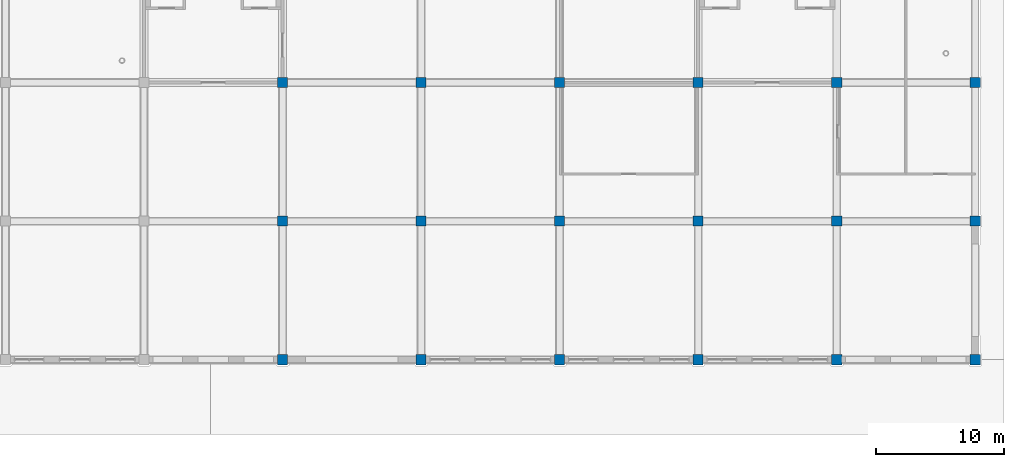
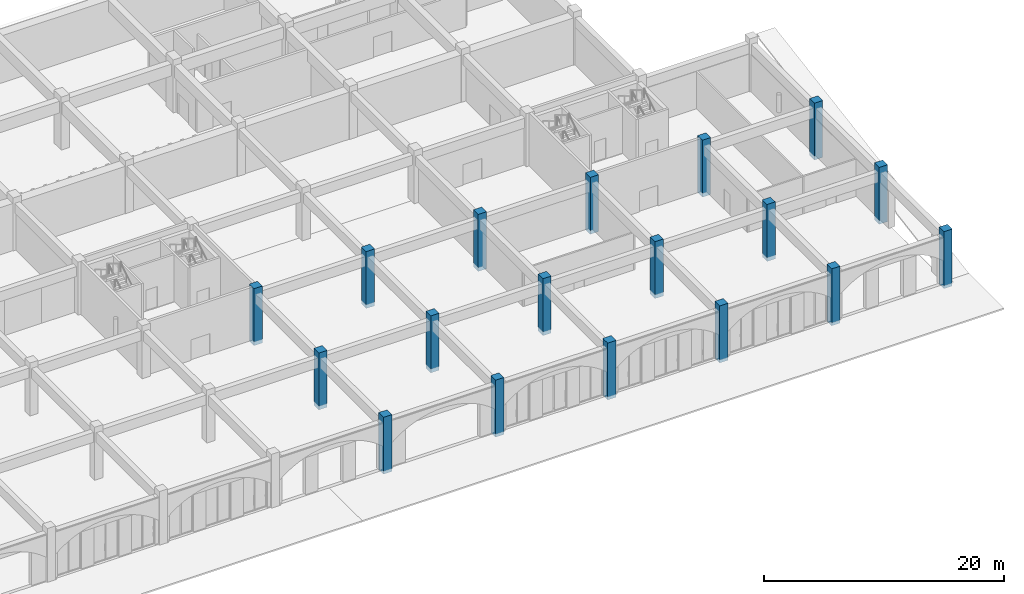
# One storey, part 6 of 101: 18 columns.
"""IFC4 building model written with IfcOpenShell, lengths in metres."""

import ifcopenshell
import ifcopenshell.guid

model = None  # the IFC model being written
_history = None  # IfcOwnerHistory: only IFC2X3 demands one
_inside = {}  # id of a spatial element -> (the spatial element, [elements in it])
_under = {}  # id of a project, library or spatial element -> (it, [spatial elements below it])
_declared = {}  # id of a project -> (the project, [libraries it declares])
_typed = {}  # id of a type object -> (the type object, [elements of that type])
_made_of = {}  # id of a material, layer set ... -> (it, [elements and type objects made of it])


def new_model(schema):
    """Start an empty IFC model of exactly this schema.

    Asked for "IFC4X3", IfcOpenShell would pick the latest addendum, in which some entities
    have other attributes; the version numbers below select the first issue.
    IFC2X3 requires an IfcOwnerHistory on every rooted entity: one is made here for all.
    """
    global model, _history
    if schema == "IFC4X3":
        model = ifcopenshell.file(schema_version=(4, 3, 0, 0))
    else:
        model = ifcopenshell.file(schema=schema)
    _inside.clear()
    _under.clear()
    _declared.clear()
    _typed.clear()
    _made_of.clear()
    _history = None
    if model.schema == "IFC2X3":
        org = make("IfcOrganization", Name="unknown")
        user = make(
            "IfcPersonAndOrganization",
            ThePerson=make("IfcPerson", FamilyName="unknown"),
            TheOrganization=org,
        )
        app = make(
            "IfcApplication",
            ApplicationDeveloper=org,
            Version="unknown",
            ApplicationFullName="unknown",
            ApplicationIdentifier="unknown",
        )
        _history = make(
            "IfcOwnerHistory",
            OwningUser=user,
            OwningApplication=app,
            ChangeAction="ADDED",
            CreationDate=0,
        )
    return model


def make(cls, **values):
    """One entity of the class cls with the attributes given. An attribute that is None is left unset."""
    return model.create_entity(
        cls, **{name: value for name, value in values.items() if value is not None}
    )


def rooted(cls, **values):
    """An entity with a GlobalId (a new one), such as an element, a storey or a relation."""
    return make(cls, GlobalId=ifcopenshell.guid.new(), OwnerHistory=_history, **values)


def si_unit(unit_type, name, prefix=None):
    """IfcSIUnit, for example si_unit("LENGTHUNIT", "METRE", prefix="MILLI")."""
    return make("IfcSIUnit", UnitType=unit_type, Prefix=prefix, Name=name)


def assignment(units):
    """IfcUnitAssignment: the units of a project."""
    return None if units is None else make("IfcUnitAssignment", Units=units)


def point(xyz):
    """IfcCartesianPoint."""
    return None if xyz is None else make("IfcCartesianPoint", Coordinates=xyz)


def direction(xyz):
    """IfcDirection."""
    return None if xyz is None else make("IfcDirection", DirectionRatios=xyz)


def frame(location, z_axis=None, x_axis=None):
    """IfcAxis2Placement3D, a coordinate frame: its origin and axes. An axis left out is left unset."""
    return make(
        "IfcAxis2Placement3D",
        Location=point(location),
        Axis=direction(z_axis),
        RefDirection=direction(x_axis),
    )


def frame_2d(location, x_axis=None):
    """IfcAxis2Placement2D, a coordinate frame in the plane: its origin and x axis."""
    return make(
        "IfcAxis2Placement2D", Location=point(location), RefDirection=direction(x_axis)
    )


def origin():
    """The frame at (0, 0, 0) with its axes left unset."""
    return frame((0.0, 0.0, 0.0))


def origin_2d():
    """The frame at (0, 0) in the plane with its x axis left unset."""
    return frame_2d((0.0, 0.0))


def place(relative_to, where):
    """IfcLocalPlacement: puts the frame where relative to a parent placement (None: the world)."""
    return make(
        "IfcLocalPlacement", PlacementRelTo=relative_to, RelativePlacement=where
    )


def context(
    kind, dimensions, precision=None, world=None, true_north=None, identifier=None
):
    """IfcGeometricRepresentationContext, for example the 3D "Model" context."""
    return make(
        "IfcGeometricRepresentationContext",
        ContextIdentifier=identifier,
        ContextType=kind,
        CoordinateSpaceDimension=dimensions,
        Precision=precision,
        WorldCoordinateSystem=world,
        TrueNorth=true_north,
    )


def subcontext(parent, identifier, kind, view, scale=None):
    """IfcGeometricRepresentationSubContext, for example "Body" below "Model"."""
    return make(
        "IfcGeometricRepresentationSubContext",
        ContextIdentifier=identifier,
        ContextType=kind,
        ParentContext=parent,
        TargetScale=scale,
        TargetView=view,
    )


def project(units=None, contexts=None):
    """IfcProject with its units and contexts."""
    return rooted(
        "IfcProject",
        Name="project",
        RepresentationContexts=contexts,
        UnitsInContext=assignment(units),
    )


def spatial(cls, under=None, at=None, **own):
    """A site, building, storey or space (cls), placed at a placement, below another one or the project."""
    s = rooted(cls, ObjectPlacement=at, **own)
    if under is not None:
        _under.setdefault(under.id(), (under, []))[1].append(s)
    return s


def profile(cls, at=None, kind="AREA", **sizes):
    """A parametric profile (cls). Its sizes go by their IFC names, for example OverallWidth=200.0."""
    return make(cls, ProfileType=kind, Position=at, **sizes)


def rectangle(**sizes):
    """IfcRectangleProfileDef."""
    return profile("IfcRectangleProfileDef", **sizes)


def extrude(swept, where, along, depth):
    """IfcExtrudedAreaSolid: the profile swept, set in the frame where, extruded along a direction by depth."""
    return make(
        "IfcExtrudedAreaSolid",
        SweptArea=swept,
        Position=where,
        ExtrudedDirection=direction(along),
        Depth=depth,
    )


def shape(context_of_items, identifier, shape_type, items):
    """IfcShapeRepresentation: the items that make up one representation, for example the "Body"."""
    return make(
        "IfcShapeRepresentation",
        ContextOfItems=context_of_items,
        RepresentationIdentifier=identifier,
        RepresentationType=shape_type,
        Items=items,
    )


def material(Name=None, Category=None):
    """IfcMaterial."""
    return make("IfcMaterial", Name=Name, Category=Category)


def material_profile(
    of_material, cross_section, Name=None, Category=None, Priority=None
):
    """IfcMaterialProfile: a cross section and its material."""
    return make(
        "IfcMaterialProfile",
        Name=Name,
        Material=of_material,
        Profile=cross_section,
        Priority=Priority,
        Category=Category,
    )


def profile_set(profiles, Name=None, composite=None):
    """IfcMaterialProfileSet."""
    return make(
        "IfcMaterialProfileSet",
        Name=Name,
        MaterialProfiles=profiles,
        CompositeProfile=composite,
    )


def made_of(thing, what):
    """Note that an element or type object is made of a material, layer set ...; save() writes the relation."""
    if what is not None:
        _made_of.setdefault(what.id(), (what, []))[1].append(thing)
    return thing


def type_object(cls, material=None, **own):
    """A type object (cls), such as IfcWallType, which elements share."""
    return made_of(rooted(cls, **own), material)


def element(
    cls,
    number,
    at=None,
    inside=None,
    cuts=None,
    type_object=None,
    material=None,
    context=None,
    identifier="Body",
    shape_type=None,
    held_by="IfcProductDefinitionShape",
    body=None,
    shapes=None,
    **own,
):
    """One element of the class cls, such as IfcWall. Its Tag is "e" and its number.

    at: its placement. inside: the storey or other place that contains it. cuts: it is an
    opening in that element (IfcRelVoidsElement). A single representation is given by context,
    identifier, shape_type and body (its items); several are given by shapes. held_by: the class
    of the entity that holds the representations. save() writes the other relations.
    """
    e = rooted(cls, Tag="e%d" % number, ObjectPlacement=at, **own)
    if body is not None:
        shapes = [shape(context, identifier, shape_type, body)]
    if shapes is not None:
        e.Representation = make(held_by, Representations=shapes)
    if inside is not None:
        _inside.setdefault(inside.id(), (inside, []))[1].append(e)
    if cuts is not None:
        rooted(
            "IfcRelVoidsElement", RelatingBuildingElement=cuts, RelatedOpeningElement=e
        )
    if type_object is not None:
        _typed.setdefault(type_object.id(), (type_object, []))[1].append(e)
    return made_of(e, material)


def aggregate(whole, parts):
    """IfcRelAggregates: a whole, such as a stair, and the parts it consists of."""
    return rooted("IfcRelAggregates", RelatingObject=whole, RelatedObjects=parts)


def save(model, path):
    """Write the relations noted so far, then the file.

    IfcRelAggregates (storeys below a building ...), IfcRelContainedInSpatialStructure (elements
    in a storey), IfcRelDefinesByType, IfcRelAssociatesMaterial and IfcRelDeclares: one each for
    every whole, place, type object, material and project.
    """
    for whole, parts in _under.values():
        aggregate(whole, parts)
    for where, things in _inside.values():
        rooted(
            "IfcRelContainedInSpatialStructure",
            RelatedElements=things,
            RelatingStructure=where,
        )
    for kind, things in _typed.values():
        rooted("IfcRelDefinesByType", RelatedObjects=things, RelatingType=kind)
    for what, things in _made_of.values():
        rooted("IfcRelAssociatesMaterial", RelatedObjects=things, RelatingMaterial=what)
    for by, libraries in _declared.values():
        rooted("IfcRelDeclares", RelatingContext=by, RelatedDefinitions=libraries)
    model.write(path)


model = new_model("IFC4")

# Units and contexts
model_context = context("Model", 3, precision=1e-05, world=origin(), true_north=direction((0.0, 1.0)))
body_context = subcontext(model_context, "Body", "Model", "MODEL_VIEW")
ifc_project = project(units=[si_unit("LENGTHUNIT", "METRE"), si_unit("AREAUNIT", "SQUARE_METRE"), si_unit("VOLUMEUNIT", "CUBIC_METRE"), si_unit("PLANEANGLEUNIT", "RADIAN"), si_unit("MASSUNIT", "GRAM", prefix="KILO")], contexts=[model_context])

# Site, building, storey
site_placement = place(None, origin())
site = spatial("IfcSite", under=ifc_project, at=site_placement, CompositionType="ELEMENT")
building_placement = place(site_placement, origin())
building = spatial("IfcBuilding", under=site, at=building_placement, Name="Magnolia Steps Interchange", CompositionType="ELEMENT")
storey_placement = place(building_placement, frame((0.0, 0.0, -5.39990234375)))
storey = spatial("IfcBuildingStorey", under=building, at=storey_placement, Name="B1", CompositionType="ELEMENT", Elevation=-5.39990234375)

# Columns
ifc_material = material(Name="Concrete C40", Category="concrete")
ifc_material_profile = material_profile(ifc_material, rectangle(XDim=0.800048828125, YDim=0.800048828125, at=origin_2d()), Name="RC800x800")
ifc_profile_set = profile_set([ifc_material_profile], Name="Concrete C40")
column_type = type_object("IfcColumnType", Name="RC column 800x800", PredefinedType="COLUMN", material=ifc_profile_set)
for number, where, z_axis, x_axis, name in (
    (1, (139.60009765625, 10.0, -0.400146484375), (0.0, 0.0, 1.0), (1.0, 0.0, 0.0), "Column COV-13A B1"),
    (2, (139.60009765625, 20.800048828125, -0.400146484375), (0.0, 0.0, 1.0), (1.0, 0.0, 0.0), "Column COV-13B B1"),
    (3, (139.60009765625, 31.60009765625, -0.400146484375), (0.0, 0.0, 1.0), (1.0, 0.0, 0.0), "Column COV-13C B1"),
    (4, (150.39990234375, 10.0, -0.400146484375), (0.0, 0.0, 1.0), (1.0, 0.0, 0.0), "Column COV-14A B1"),
    (5, (150.39990234375, 20.800048828125, -0.400146484375), (0.0, 0.0, 1.0), (1.0, 0.0, 0.0), "Column COV-14B B1"),
    (6, (150.39990234375, 31.60009765625, -0.400146484375), (0.0, 0.0, 1.0), (1.0, 0.0, 0.0), "Column COV-14C B1"),
    (7, (161.199951171875, 10.0, -0.400146484375), (0.0, 0.0, 1.0), (1.0, 0.0, 0.0), "Column COV-15A B1"),
    (8, (161.199951171875, 20.800048828125, -0.400146484375), (0.0, 0.0, 1.0), (1.0, 0.0, 0.0), "Column COV-15B B1"),
    (9, (161.199951171875, 31.60009765625, -0.400146484375), (0.0, 0.0, 1.0), (1.0, 0.0, 0.0), "Column COV-15C B1"),
    (10, (172.0, 10.0, -0.400146484375), (0.0, 0.0, 1.0), (1.0, 0.0, 0.0), "Column COV-16A B1"),
    (11, (172.0, 20.800048828125, -0.400146484375), (0.0, 0.0, 1.0), (1.0, 0.0, 0.0), "Column COV-16B B1"),
    (12, (172.0, 31.60009765625, -0.400146484375), (0.0, 0.0, 1.0), (1.0, 0.0, 0.0), "Column COV-16C B1"),
    (13, (182.800048828125, 10.0, -0.400146484375), (0.0, 0.0, 1.0), (1.0, 0.0, 0.0), "Column COV-17A B1"),
    (14, (182.800048828125, 20.800048828125, -0.400146484375), (0.0, 0.0, 1.0), (1.0, 0.0, 0.0), "Column COV-17B B1"),
    (15, (182.800048828125, 31.60009765625, -0.400146484375), (0.0, 0.0, 1.0), (1.0, 0.0, 0.0), "Column COV-17C B1"),
    (16, (193.60009765625, 10.0, -0.400146484375), (0.0, 0.0, 1.0), (1.0, 0.0, 0.0), "Column COV-18A B1"),
    (17, (193.60009765625, 20.800048828125, -0.400146484375), (0.0, 0.0, 1.0), (1.0, 0.0, 0.0), "Column COV-18B B1"),
    (18, (193.60009765625, 31.60009765625, -0.400146484375), (0.0, 0.0, 1.0), (1.0, 0.0, 0.0), "Column COV-18C B1"),
):
    element("IfcColumn", number, at=place(storey_placement, frame(where, z_axis=z_axis, x_axis=x_axis)), inside=storey, type_object=column_type, Name=name, PredefinedType="COLUMN", context=body_context, shape_type="SweptSolid", body=[
        extrude(rectangle(XDim=0.800048828125, YDim=0.800048828125, at=origin_2d()), origin(), (0.0, 0.0, 1.0), 5.800048828125),
    ])

save(model, "model.ifc")
